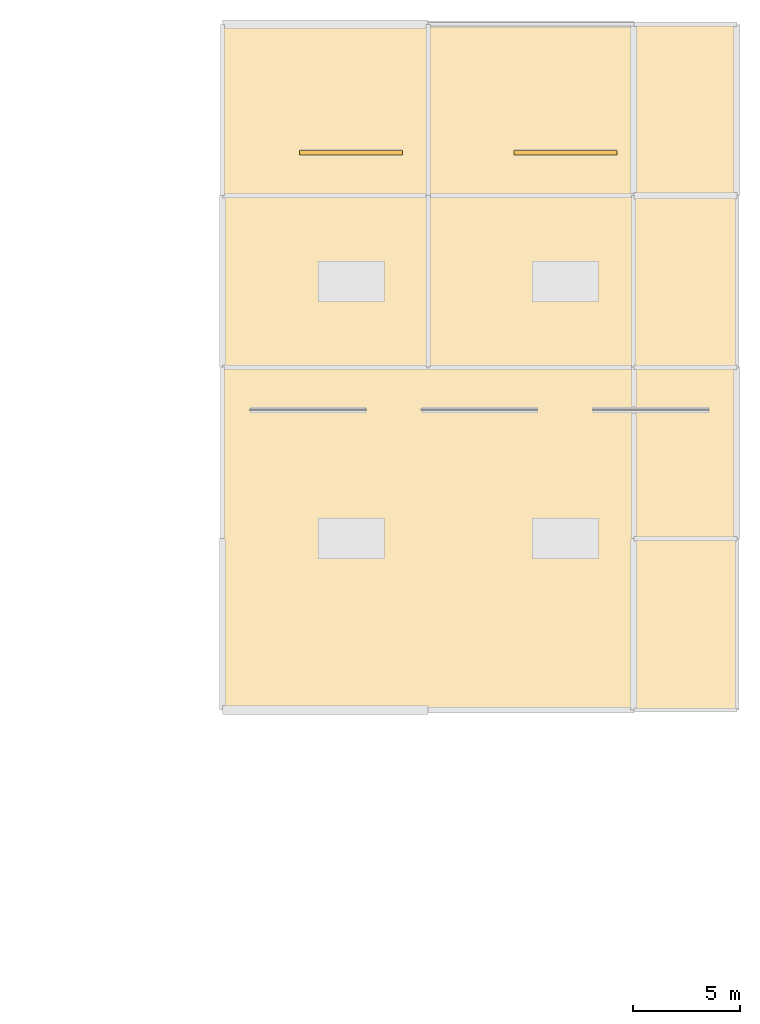
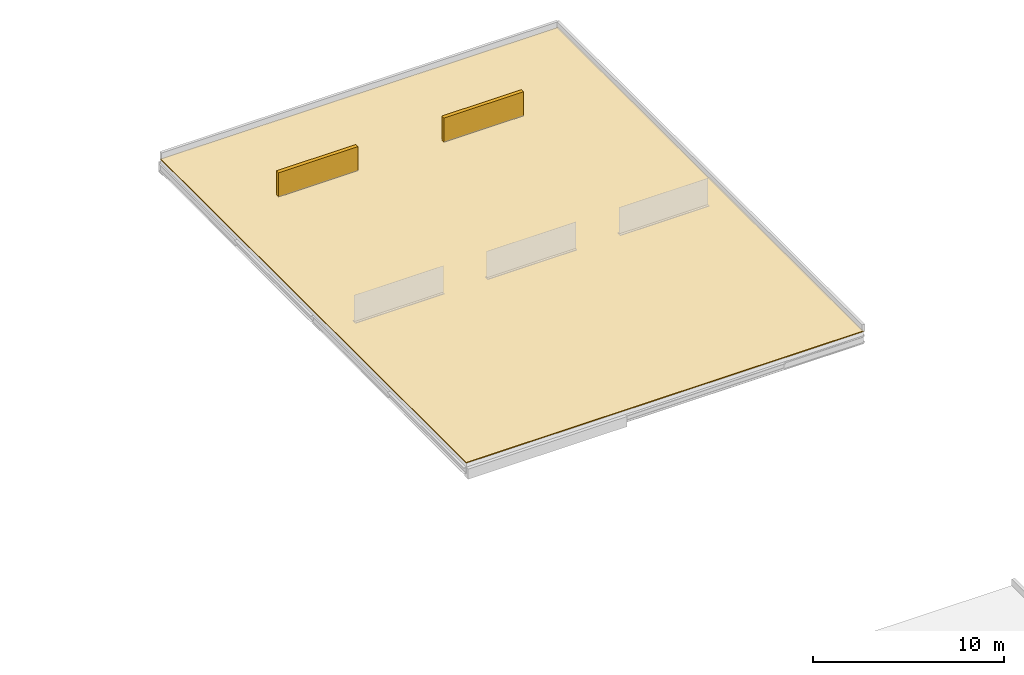
# One storey, part 36 of 36: 2 shading devices, 1 covering.
"""IFC4 building model written with IfcOpenShell, lengths in metres."""

from ifc_helpers import new_model, si_unit, direction, frame, origin, origin_2d, place, context, subcontext, project, spatial, polyline, rectangle, outline, extrude, material, layer, layer_set, type_object, element, save


model = new_model("IFC4")

# Units and contexts
model_context = context("Model", 3, precision=1e-05, world=origin(), true_north=direction((0.0, 1.0)))
body_context = subcontext(model_context, "Body", "Model", "MODEL_VIEW")
ifc_project = project(units=[si_unit("LENGTHUNIT", "METRE"), si_unit("AREAUNIT", "SQUARE_METRE"), si_unit("VOLUMEUNIT", "CUBIC_METRE"), si_unit("PLANEANGLEUNIT", "RADIAN"), si_unit("MASSUNIT", "GRAM", prefix="KILO")], contexts=[model_context])

# Site, building, storey
site_placement = place(None, origin())
site = spatial("IfcSite", under=ifc_project, at=site_placement, CompositionType="ELEMENT")
building_placement = place(site_placement, origin())
building = spatial("IfcBuilding", under=site, at=building_placement, Name="Danafjord Basin Convention Centre", CompositionType="ELEMENT")
storey_placement = place(building_placement, frame((0.0, 0.0, 20.39990234375)))
storey = spatial("IfcBuildingStorey", under=building, at=storey_placement, Name="L04", CompositionType="ELEMENT", Elevation=20.39990234375)

# Covering
ifc_material_1 = material(Name="EPDM insulated roof membrane")
ifc_layer = layer(ifc_material_1, 0.06005859375)
ifc_layer_set = layer_set([ifc_layer], Name="EPDM insulated roof membrane")
covering_type = type_object("IfcCoveringType", Name="COV-ROOF-EPDM", PredefinedType="ROOFING", material=ifc_layer_set)
covering_placement = place(storey_placement, frame((0.0, 0.0, -0.419921875)))
element("IfcCovering", 1, at=covering_placement, inside=storey, type_object=covering_type, Name="L04 roof membrane RF-FLAT-V3E", PredefinedType="ROOFING", context=body_context, shape_type="SweptSolid", body=[
    extrude(outline(polyline([(192.0, 48.0), (192.0, 80.0), (216.0, 80.0), (216.0, 48.0), (192.0, 48.0)])), origin(), (0.0, 0.0, 1.0), 0.06005859375),
])

# Shading devices
ifc_material_2 = material(Name="Extruded anodised aluminium acoustic louvre", Category="aluminium")
shading_device_type = type_object("IfcShadingDeviceType", Name="SHD-LVR-A", PredefinedType="JALOUSIE", material=ifc_material_2)
for number, where, z_axis, x_axis, name in (
    (2, (198.0, 74.0, -0.419921875), (0.0, 0.0, 1.0), (1.0, 0.0, 0.0), "L04 acoustic plant intake louvre 3"),
    (3, (208.0, 74.0, -0.419921875), (0.0, 0.0, 1.0), (1.0, 0.0, 0.0), "L04 acoustic plant intake louvre 4"),
):
    element("IfcShadingDevice", number, at=place(storey_placement, frame(where, z_axis=z_axis, x_axis=x_axis)), inside=storey, type_object=shading_device_type, Name=name, PredefinedType="JALOUSIE", context=body_context, shape_type="SweptSolid", body=[
        extrude(rectangle(XDim=4.800048828125, YDim=0.219970703125, at=origin_2d()), origin(), (0.0, 0.0, 1.0), 1.60009765625),
    ])

save(model, "model.ifc")
